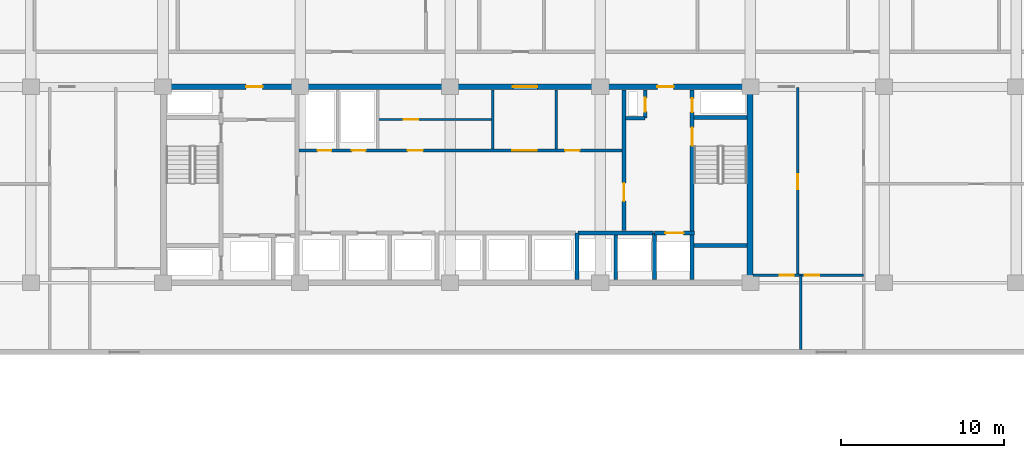
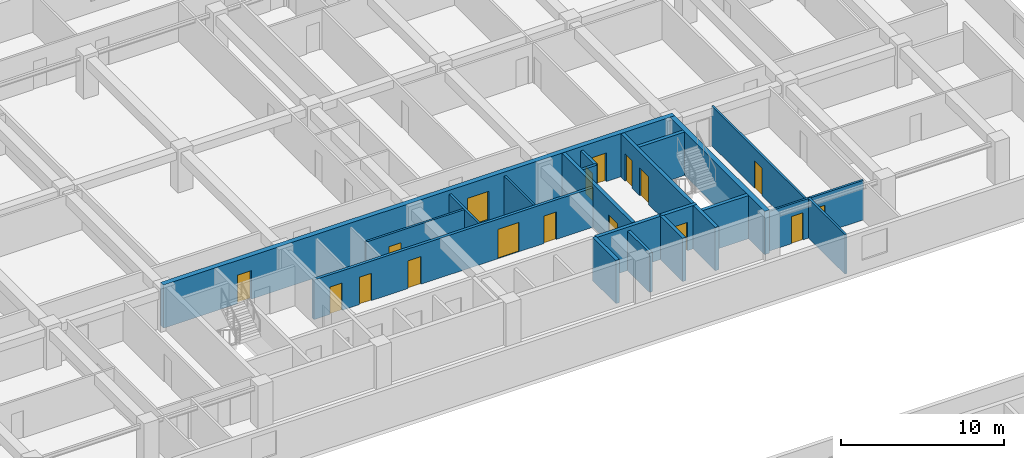
# One storey, part 12 of 23: 20 walls, 17 doors, 17 openings.
"""IFC4 building model written with IfcOpenShell, lengths in metres."""

from ifc_helpers import new_model, si_unit, direction, frame, frame_2d, origin, place, context, subcontext, project, spatial, rectangle, extrude, material, layer, layer_set, type_object, element, fill, save


model = new_model("IFC4")

# Units and contexts
model_context = context("Model", 3, precision=1e-05, world=origin(), true_north=direction((0.0, 1.0)))
body_context = subcontext(model_context, "Body", "Model", "MODEL_VIEW")
ifc_project = project(units=[si_unit("LENGTHUNIT", "METRE"), si_unit("AREAUNIT", "SQUARE_METRE"), si_unit("VOLUMEUNIT", "CUBIC_METRE"), si_unit("PLANEANGLEUNIT", "RADIAN"), si_unit("MASSUNIT", "GRAM", prefix="KILO")], contexts=[model_context])

# Site, building, storey
site_placement = place(None, origin())
site = spatial("IfcSite", under=ifc_project, at=site_placement, CompositionType="ELEMENT")
building_placement = place(site_placement, origin())
building = spatial("IfcBuilding", under=site, at=building_placement, Name="Korimba Cascade Residences", CompositionType="ELEMENT")
storey_placement = place(building_placement, frame((0.0, 0.0, 53.25)))
storey = spatial("IfcBuildingStorey", under=building, at=storey_placement, Name="L14", CompositionType="ELEMENT", Elevation=53.25)

# Wall
ifc_material_1 = material(Name="Concrete C65/80", Category="concrete")
ifc_layer_1 = layer(ifc_material_1, 0.35009765625)
ifc_layer_set_1 = layer_set([ifc_layer_1], Name="Concrete C65/80")
wall_type_1 = type_object("IfcWallType", Name="WAL-CORE-350", PredefinedType="SHEAR", material=ifc_layer_set_1)
wall_1_placement = place(storey_placement, frame((112.074951171875, 55.375, 0.0), z_axis=(0.0, 0.0, 1.0), x_axis=(0.0, 1.0, 0.0)))
element("IfcWall", 1, at=wall_1_placement, inside=storey, type_object=wall_type_1, Name="L14 Core Shear Wall CW-L14-T1-E", PredefinedType="SHEAR", context=body_context, shape_type="SweptSolid", body=[
    extrude(rectangle(XDim=11.64990234375, YDim=0.35009765625, at=frame_2d((5.824951171875, 0.0))), origin(), (0.0, 0.0, 1.0), 3.25),
])

# Wall, openings, doors
wall_2_placement = place(storey_placement, frame((75.949951171875, 67.199951171875, 0.0), z_axis=(0.0, 0.0, 1.0), x_axis=(1.0, 0.0, 0.0)))
wall_2 = element("IfcWall", 2, at=wall_2_placement, inside=storey, type_object=wall_type_1, Name="L14 Core Shear Wall CW-L14-T1-N", PredefinedType="SHEAR", context=body_context, shape_type="SweptSolid", body=[
    extrude(rectangle(XDim=36.300048828125, YDim=0.35009765625, at=frame_2d((18.14990234375, 0.0))), origin(), (0.0, 0.0, 1.0), 3.25),
])
opening_1_placement = place(wall_2_placement, frame((5.25, 0.0, 0.0)))
opening_1 = element("IfcOpeningElement", 3, at=opening_1_placement, cuts=wall_2, Name="Opening D-FD5", PredefinedType="OPENING", context=body_context, shape_type="SweptSolid", body=[
    extrude(rectangle(XDim=1.0, YDim=2.14990234375, at=frame_2d((0.5, 1.074951171875))), frame((0.0, 0.18505859375, 0.0), z_axis=(0.0, -1.0, 0.0), x_axis=(1.0, 0.0, 0.0)), (0.0, 0.0, 1.0), 0.3701171875),
])
opening_2_placement = place(wall_2_placement, frame((21.60009765625, 0.0, 0.0)))
opening_2 = element("IfcOpeningElement", 4, at=opening_2_placement, cuts=wall_2, Name="Opening D-FD8", PredefinedType="OPENING", context=body_context, shape_type="SweptSolid", body=[
    extrude(rectangle(XDim=1.5, YDim=2.199951171875, at=frame_2d((0.75, 1.10009765625))), frame((0.0, 0.18505859375, 0.0), z_axis=(0.0, -1.0, 0.0), x_axis=(1.0, 0.0, 0.0)), (0.0, 0.0, 1.0), 0.3701171875),
])
opening_3_placement = place(wall_2_placement, frame((30.449951171875, 0.0, 0.0)))
opening_3 = element("IfcOpeningElement", 5, at=opening_3_placement, cuts=wall_2, Name="Opening D-FD5", PredefinedType="OPENING", context=body_context, shape_type="SweptSolid", body=[
    extrude(rectangle(XDim=1.0, YDim=2.14990234375, at=frame_2d((0.5, 1.074951171875))), frame((0.0, 0.18505859375, 0.0), z_axis=(0.0, -1.0, 0.0), x_axis=(1.0, 0.0, 0.0)), (0.0, 0.0, 1.0), 0.3701171875),
])
ifc_material_2 = material(Name="Fire-Rated Acoustic Timber Vestibule Door", Category="wood")
door_type_1 = type_object("IfcDoorType", Name="DR-FD90-1000", OperationType="NOTDEFINED", PredefinedType="DOOR", material=ifc_material_2)
door_1_placement = place(opening_1_placement, origin())
door_1 = element("IfcDoor", 6, at=door_1_placement, inside=storey, type_object=door_type_1, Name="L14 T1 West Core Vestibule Fire Door", OperationType="SINGLE_SWING_RIGHT", OverallHeight=2.14990234375, OverallWidth=1.0, PredefinedType="DOOR", context=body_context, shape_type="SweptSolid", body=[
    extrude(rectangle(XDim=1.0, YDim=2.14990234375, at=frame_2d((0.5, 1.074951171875))), frame((0.0, 0.02490234375, 0.0), z_axis=(0.0, -1.0, 0.0), x_axis=(1.0, 0.0, 0.0)), (0.0, 0.0, 1.0), 0.050048828125),
])
fill(opening_1, door_1)
door_2_placement = place(opening_3_placement, origin())
door_2 = element("IfcDoor", 7, at=door_2_placement, inside=storey, type_object=door_type_1, Name="L14 T1 East Firefighting Vestibule Fire Door", OperationType="SINGLE_SWING_LEFT", OverallHeight=2.14990234375, OverallWidth=1.0, PredefinedType="DOOR", context=body_context, shape_type="SweptSolid", body=[
    extrude(rectangle(XDim=1.0, YDim=2.14990234375, at=frame_2d((0.5, 1.074951171875))), frame((0.0, 0.02490234375, 0.0), z_axis=(0.0, -1.0, 0.0), x_axis=(1.0, 0.0, 0.0)), (0.0, 0.0, 1.0), 0.050048828125),
])
fill(opening_3, door_2)
ifc_material_3 = material(Name="Fire-Rated Glazed Lift Lobby Double Door", Category="glass")
door_type_2 = type_object("IfcDoorType", Name="DR-FD90-1500", OperationType="NOTDEFINED", PredefinedType="DOOR", material=ifc_material_3)
door_3_placement = place(opening_2_placement, origin())
door_3 = element("IfcDoor", 8, at=door_3_placement, inside=storey, type_object=door_type_2, Name="L14 T1 Lift Lobby Fire Door", OperationType="DOUBLE_DOOR_SINGLE_SWING", OverallHeight=2.199951171875, OverallWidth=1.5, PredefinedType="DOOR", context=body_context, shape_type="SweptSolid", body=[
    extrude(rectangle(XDim=1.5, YDim=2.199951171875, at=frame_2d((0.75, 1.10009765625))), frame((0.0, 0.02490234375, 0.0), z_axis=(0.0, -1.0, 0.0), x_axis=(1.0, 0.0, 0.0)), (0.0, 0.0, 1.0), 0.050048828125),
])
fill(opening_2, door_3)

# Wall, opening, door
ifc_material_4 = material(Name="Insulated Acoustic Stud Partition", Category="gypsum")
ifc_layer_2 = layer(ifc_material_4, 0.14990234375)
ifc_layer_set_2 = layer_set([ifc_layer_2], Name="Insulated Acoustic Stud Partition")
wall_type_2 = type_object("IfcWallType", Name="WAL-PART-150", PredefinedType="PARTITIONING", material=ifc_layer_set_2)
wall_3_placement = place(storey_placement, frame((89.25, 65.199951171875, 0.0), z_axis=(0.0, 0.0, 1.0), x_axis=(1.0, 0.0, 0.0)))
wall_3 = element("IfcWall", 9, at=wall_3_placement, inside=storey, type_object=wall_type_2, Name="L14 Partition Wall CW-L14-T1-CA2HZ", PredefinedType="PARTITIONING", context=body_context, shape_type="SweptSolid", body=[
    extrude(rectangle(XDim=7.050048828125, YDim=0.14990234375, at=frame_2d((3.52490234375, 0.0))), origin(), (0.0, 0.0, 1.0), 2.969970703125),
])
opening_4_placement = place(wall_3_placement, frame((1.60009765625, 0.0, 0.0)))
opening_4 = element("IfcOpeningElement", 10, at=opening_4_placement, cuts=wall_3, Name="Opening D-IN2", PredefinedType="OPENING", context=body_context, shape_type="SweptSolid", body=[
    extrude(rectangle(XDim=0.8798828125, YDim=2.06005859375, at=frame_2d((0.43994140625, 1.030029296875))), frame((0.0, 0.0849609375, 0.0), z_axis=(0.0, -1.0, 0.0), x_axis=(1.0, 0.0, 0.0)), (0.0, 0.0, 1.0), 0.169921875),
])
ifc_material_5 = material(Name="Acoustic Timber Bedroom Door", Category="wood")
door_type_3 = type_object("IfcDoorType", Name="DR-INT-880", OperationType="NOTDEFINED", PredefinedType="DOOR", material=ifc_material_5)
door_4_placement = place(opening_4_placement, origin())
door_4 = element("IfcDoor", 11, at=door_4_placement, inside=storey, type_object=door_type_3, Name="L14 Pram Store Door", OperationType="SINGLE_SWING_RIGHT", OverallHeight=2.06005859375, OverallWidth=0.8798828125, PredefinedType="DOOR", context=body_context, shape_type="SweptSolid", body=[
    extrude(rectangle(XDim=0.8798828125, YDim=2.06005859375, at=frame_2d((0.43994140625, 1.030029296875))), frame((0.0, 0.02490234375, 0.0), z_axis=(0.0, -1.0, 0.0), x_axis=(1.0, 0.0, 0.0)), (0.0, 0.0, 1.0), 0.050048828125),
])
fill(opening_4, door_4)

# Walls
for number, where, z_axis, x_axis, name in (
    (12, (96.300048828125, 63.39990234375, 0.0), (0.0, 0.0, 1.0), (0.0, 1.0, 0.0), "L14 Partition Wall CW-L14-T1-THW"),
    (13, (100.199951171875, 63.39990234375, 0.0), (0.0, 0.0, 1.0), (0.0, 1.0, 0.0), "L14 Partition Wall CW-L14-T1-THE"),
):
    element("IfcWall", number, at=place(storey_placement, frame(where, z_axis=z_axis, x_axis=x_axis)), inside=storey, type_object=wall_type_2, Name=name, PredefinedType="PARTITIONING", context=body_context, shape_type="SweptSolid", body=[
        extrude(rectangle(XDim=3.60009765625, YDim=0.14990234375, at=frame_2d((1.800048828125, 0.0))), origin(), (0.0, 0.0, 1.0), 2.969970703125),
    ])

# Wall, opening, door
wall_4_placement = place(storey_placement, frame((115.0, 55.64990234375, 0.0), z_axis=(0.0, 0.0, 1.0), x_axis=(0.0, 1.0, 0.0)))
wall_4 = element("IfcWall", 14, at=wall_4_placement, inside=storey, type_object=wall_type_2, Name="L14 Partition Wall WAL-L14-T1-FE-VN", PredefinedType="PARTITIONING", context=body_context, shape_type="SweptSolid", body=[
    extrude(rectangle(XDim=11.5, YDim=0.14990234375, at=frame_2d((5.75, 0.0))), origin(), (0.0, 0.0, 1.0), 2.969970703125),
])
opening_5_placement = place(wall_4_placement, frame((5.2900390625, 0.0, 0.0)))
opening_5 = element("IfcOpeningElement", 15, at=opening_5_placement, cuts=wall_4, Name="Opening D-IN1", PredefinedType="OPENING", context=body_context, shape_type="SweptSolid", body=[
    extrude(rectangle(XDim=0.919921875, YDim=2.080078125, at=frame_2d((0.4599609375, 1.0400390625))), frame((0.0, 0.0849609375, 0.0), z_axis=(0.0, -1.0, 0.0), x_axis=(1.0, 0.0, 0.0)), (0.0, 0.0, 1.0), 0.169921875),
])
ifc_material_6 = material(Name="Acoustic Timber Living Door", Category="wood")
door_type_4 = type_object("IfcDoorType", Name="DR-INT-920", OperationType="NOTDEFINED", PredefinedType="DOOR", material=ifc_material_6)
door_5_placement = place(opening_5_placement, origin())
door_5 = element("IfcDoor", 16, at=door_5_placement, inside=storey, type_object=door_type_4, Name="L14-T1-FE Living Door", OperationType="SINGLE_SWING_LEFT", OverallHeight=2.080078125, OverallWidth=0.919921875, PredefinedType="DOOR", context=body_context, shape_type="SweptSolid", body=[
    extrude(rectangle(XDim=0.919921875, YDim=2.080078125, at=frame_2d((0.4599609375, 1.0400390625))), frame((0.0, 0.02490234375, 0.0), z_axis=(0.0, -1.0, 0.0), x_axis=(1.0, 0.0, 0.0)), (0.0, 0.0, 1.0), 0.050048828125),
])
fill(opening_5, door_5)

# Wall
wall_5_placement = place(storey_placement, frame((115.199951171875, 51.10009765625, 0.0), z_axis=(0.0, 0.0, 1.0), x_axis=(0.0, 1.0, 0.0)))
element("IfcWall", 17, at=wall_5_placement, inside=storey, type_object=wall_type_2, Name="L14 Partition Wall WAL-L14-T1-FE-VS", PredefinedType="PARTITIONING", context=body_context, shape_type="SweptSolid", body=[
    extrude(rectangle(XDim=4.5498046875, YDim=0.14990234375, at=frame_2d((2.27490234375, 0.0))), origin(), (0.0, 0.0, 1.0), 2.969970703125),
])

# Wall, openings, doors
wall_6_placement = place(storey_placement, frame((112.27001953125, 55.64990234375, 0.0), z_axis=(0.0, 0.0, 1.0), x_axis=(1.0, 0.0, 0.0)))
wall_6 = element("IfcWall", 18, at=wall_6_placement, inside=storey, type_object=wall_type_2, Name="L14 Partition Wall WAL-L14-T1-FE-H", PredefinedType="PARTITIONING", context=body_context, shape_type="SweptSolid", body=[
    extrude(rectangle(XDim=6.760009765625, YDim=0.14990234375, at=frame_2d((3.3798828125, 0.0))), origin(), (0.0, 0.0, 1.0), 2.969970703125),
])
opening_6_placement = place(wall_6_placement, frame((1.6396484375, 0.0, 0.0)))
opening_6 = element("IfcOpeningElement", 19, at=opening_6_placement, cuts=wall_6, Name="Opening D-BT1", PredefinedType="OPENING", context=body_context, shape_type="SweptSolid", body=[
    extrude(rectangle(XDim=0.840087890625, YDim=2.0400390625, at=frame_2d((0.419921875, 1.02001953125))), frame((0.0, 0.0849609375, 0.0), z_axis=(0.0, -1.0, 0.0), x_axis=(1.0, 0.0, 0.0)), (0.0, 0.0, 1.0), 0.169921875),
])
opening_7_placement = place(wall_6_placement, frame((3.160400390625, 0.0, 0.0)))
opening_7 = element("IfcOpeningElement", 20, at=opening_7_placement, cuts=wall_6, Name="Opening D-IN2", PredefinedType="OPENING", context=body_context, shape_type="SweptSolid", body=[
    extrude(rectangle(XDim=0.8798828125, YDim=2.06005859375, at=frame_2d((0.43994140625, 1.030029296875))), frame((0.0, 0.0849609375, 0.0), z_axis=(0.0, -1.0, 0.0), x_axis=(1.0, 0.0, 0.0)), (0.0, 0.0, 1.0), 0.169921875),
])
ifc_material_7 = material(Name="Moisture-Resistant Bathroom Timber Door", Category="wood")
door_type_5 = type_object("IfcDoorType", Name="DR-INT-850", OperationType="NOTDEFINED", PredefinedType="DOOR", material=ifc_material_7)
door_6_placement = place(opening_6_placement, origin())
door_6 = element("IfcDoor", 21, at=door_6_placement, inside=storey, type_object=door_type_5, Name="L14-T1-FE Bathroom Door", OperationType="SINGLE_SWING_RIGHT", OverallHeight=2.0400390625, OverallWidth=0.840087890625, PredefinedType="DOOR", context=body_context, shape_type="SweptSolid", body=[
    extrude(rectangle(XDim=0.840087890625, YDim=2.0400390625, at=frame_2d((0.419921875, 1.02001953125))), frame((0.0, 0.02490234375, 0.0), z_axis=(0.0, -1.0, 0.0), x_axis=(1.0, 0.0, 0.0)), (0.0, 0.0, 1.0), 0.050048828125),
])
fill(opening_6, door_6)
door_7_placement = place(opening_7_placement, origin())
door_7 = element("IfcDoor", 22, at=door_7_placement, inside=storey, type_object=door_type_3, Name="L14-T1-FE Bedroom Door", OperationType="SINGLE_SWING_LEFT", OverallHeight=2.06005859375, OverallWidth=0.8798828125, PredefinedType="DOOR", context=body_context, shape_type="SweptSolid", body=[
    extrude(rectangle(XDim=0.8798828125, YDim=2.06005859375, at=frame_2d((0.43994140625, 1.030029296875))), frame((0.0, 0.02490234375, 0.0), z_axis=(0.0, -1.0, 0.0), x_axis=(1.0, 0.0, 0.0)), (0.0, 0.0, 1.0), 0.050048828125),
])
fill(opening_7, door_7)

# Wall
ifc_material_8 = material(Name="Concrete C40/50", Category="concrete")
ifc_layer_3 = layer(ifc_material_8, 0.199951171875)
ifc_layer_set_3 = layer_set([ifc_layer_3], Name="Concrete C40/50")
wall_type_3 = type_object("IfcWallType", Name="WAL-PART-200", PredefinedType="PARTITIONING", material=ifc_layer_set_3)
wall_7_placement = place(storey_placement, frame((103.85009765625, 55.39990234375, 0.0), z_axis=(0.0, 0.0, 1.0), x_axis=(0.0, 1.0, 0.0)))
element("IfcWall", 23, at=wall_7_placement, inside=storey, type_object=wall_type_3, Name="L14 Partition Wall CW-L14-T1-B3D1", PredefinedType="PARTITIONING", context=body_context, shape_type="SweptSolid", body=[
    extrude(rectangle(XDim=2.72021484375, YDim=0.199951171875, at=frame_2d((1.360107421875, 0.0))), origin(), (0.0, 0.0, 1.0), 2.969970703125),
])

# Wall, openings, doors
wall_8_placement = place(storey_placement, frame((84.419921875, 63.300048828125, 0.0), z_axis=(0.0, 0.0, 1.0), x_axis=(1.0, 0.0, 0.0)))
wall_8 = element("IfcWall", 24, at=wall_8_placement, inside=storey, type_object=wall_type_3, Name="L14 Partition Wall CW-L14-T1-SRVROW", PredefinedType="PARTITIONING", context=body_context, shape_type="SweptSolid", body=[
    extrude(rectangle(XDim=19.830078125, YDim=0.199951171875, at=frame_2d((9.9150390625, 0.0))), origin(), (0.0, 0.0, 1.0), 2.969970703125),
])
opening_8_placement = place(wall_8_placement, frame((1.14990234375, 0.0, 0.0)))
opening_8 = element("IfcOpeningElement", 25, at=opening_8_placement, cuts=wall_8, Name="Opening D-RS1", PredefinedType="OPENING", context=body_context, shape_type="SweptSolid", body=[
    extrude(rectangle(XDim=0.85009765625, YDim=2.050048828125, at=frame_2d((0.425048828125, 1.02490234375))), frame((0.0, 0.10986328125, 0.0), z_axis=(0.0, -1.0, 0.0), x_axis=(1.0, 0.0, 0.0)), (0.0, 0.0, 1.0), 0.219970703125),
])
opening_9_placement = place(wall_8_placement, frame((3.25, 0.0, 0.0)))
opening_9 = element("IfcOpeningElement", 26, at=opening_9_placement, cuts=wall_8, Name="Opening D-RS1", PredefinedType="OPENING", context=body_context, shape_type="SweptSolid", body=[
    extrude(rectangle(XDim=0.85009765625, YDim=2.050048828125, at=frame_2d((0.425048828125, 1.02490234375))), frame((0.0, 0.10986328125, 0.0), z_axis=(0.0, -1.0, 0.0), x_axis=(1.0, 0.0, 0.0)), (0.0, 0.0, 1.0), 0.219970703125),
])
opening_10_placement = place(wall_8_placement, frame((13.080078125, 0.0, 0.0)))
opening_10 = element("IfcOpeningElement", 27, at=opening_10_placement, cuts=wall_8, Name="Opening D-FD8", PredefinedType="OPENING", context=body_context, shape_type="SweptSolid", body=[
    extrude(rectangle(XDim=1.5, YDim=2.199951171875, at=frame_2d((0.75, 1.10009765625))), frame((0.0, 0.10986328125, 0.0), z_axis=(0.0, -1.0, 0.0), x_axis=(1.0, 0.0, 0.0)), (0.0, 0.0, 1.0), 0.219970703125),
])
opening_11_placement = place(wall_8_placement, frame((6.679931640625, 0.0, 0.0)))
opening_11 = element("IfcOpeningElement", 28, at=opening_11_placement, cuts=wall_8, Name="Opening D-IN1", PredefinedType="OPENING", context=body_context, shape_type="SweptSolid", body=[
    extrude(rectangle(XDim=0.919921875, YDim=2.080078125, at=frame_2d((0.4599609375, 1.0400390625))), frame((0.0, 0.10986328125, 0.0), z_axis=(0.0, -1.0, 0.0), x_axis=(1.0, 0.0, 0.0)), (0.0, 0.0, 1.0), 0.219970703125),
])
opening_12_placement = place(wall_8_placement, frame((16.330078125, 0.0, 0.0)))
opening_12 = element("IfcOpeningElement", 29, at=opening_12_placement, cuts=wall_8, Name="Opening D-IN2", PredefinedType="OPENING", context=body_context, shape_type="SweptSolid", body=[
    extrude(rectangle(XDim=0.8798828125, YDim=2.06005859375, at=frame_2d((0.43994140625, 1.030029296875))), frame((0.0, 0.10986328125, 0.0), z_axis=(0.0, -1.0, 0.0), x_axis=(1.0, 0.0, 0.0)), (0.0, 0.0, 1.0), 0.219970703125),
])
ifc_material_9 = material(Name="Fire-Rated Steel Riser Access Door", Category="steel")
door_type_6 = type_object("IfcDoorType", Name="DR-FD60-850", OperationType="NOTDEFINED", PredefinedType="DOOR", material=ifc_material_9)
door_8_placement = place(opening_8_placement, origin())
door_8 = element("IfcDoor", 30, at=door_8_placement, inside=storey, type_object=door_type_6, Name="L14 Electrical Riser Door", OperationType="SINGLE_SWING_LEFT", OverallHeight=2.050048828125, OverallWidth=0.85009765625, PredefinedType="DOOR", context=body_context, shape_type="SweptSolid", body=[
    extrude(rectangle(XDim=0.85009765625, YDim=2.050048828125, at=frame_2d((0.425048828125, 1.02490234375))), frame((0.0, 0.02490234375, 0.0), z_axis=(0.0, -1.0, 0.0), x_axis=(1.0, 0.0, 0.0)), (0.0, 0.0, 1.0), 0.050048828125),
])
fill(opening_8, door_8)
door_9_placement = place(opening_9_placement, origin())
door_9 = element("IfcDoor", 31, at=door_9_placement, inside=storey, type_object=door_type_6, Name="L14 Plumbing Riser Door", OperationType="SINGLE_SWING_RIGHT", OverallHeight=2.050048828125, OverallWidth=0.85009765625, PredefinedType="DOOR", context=body_context, shape_type="SweptSolid", body=[
    extrude(rectangle(XDim=0.85009765625, YDim=2.050048828125, at=frame_2d((0.425048828125, 1.02490234375))), frame((0.0, 0.02490234375, 0.0), z_axis=(0.0, -1.0, 0.0), x_axis=(1.0, 0.0, 0.0)), (0.0, 0.0, 1.0), 0.050048828125),
])
fill(opening_9, door_9)
door_10_placement = place(opening_10_placement, origin())
door_10 = element("IfcDoor", 32, at=door_10_placement, inside=storey, type_object=door_type_2, Name="L14 Lift Lobby Foyer Archway Door", OperationType="DOUBLE_DOOR_SINGLE_SWING", OverallHeight=2.199951171875, OverallWidth=1.5, PredefinedType="DOOR", context=body_context, shape_type="SweptSolid", body=[
    extrude(rectangle(XDim=1.5, YDim=2.199951171875, at=frame_2d((0.75, 1.10009765625))), frame((0.0, 0.02490234375, 0.0), z_axis=(0.0, -1.0, 0.0), x_axis=(1.0, 0.0, 0.0)), (0.0, 0.0, 1.0), 0.050048828125),
])
fill(opening_10, door_10)
door_11_placement = place(opening_12_placement, origin())
door_11 = element("IfcDoor", 33, at=door_11_placement, inside=storey, type_object=door_type_3, Name="L14 Staff WC Door", OperationType="SINGLE_SWING_RIGHT", OverallHeight=2.06005859375, OverallWidth=0.8798828125, PredefinedType="DOOR", context=body_context, shape_type="SweptSolid", body=[
    extrude(rectangle(XDim=0.8798828125, YDim=2.06005859375, at=frame_2d((0.43994140625, 1.030029296875))), frame((0.0, 0.02490234375, 0.0), z_axis=(0.0, -1.0, 0.0), x_axis=(1.0, 0.0, 0.0)), (0.0, 0.0, 1.0), 0.050048828125),
])
fill(opening_12, door_11)
door_12_placement = place(opening_11_placement, origin())
door_12 = element("IfcDoor", 34, at=door_12_placement, inside=storey, type_object=door_type_4, Name="L14 Locker Room Door", OperationType="SINGLE_SWING_LEFT", OverallHeight=2.080078125, OverallWidth=0.919921875, PredefinedType="DOOR", context=body_context, shape_type="SweptSolid", body=[
    extrude(rectangle(XDim=0.919921875, YDim=2.080078125, at=frame_2d((0.4599609375, 1.0400390625))), frame((0.0, 0.02490234375, 0.0), z_axis=(0.0, -1.0, 0.0), x_axis=(1.0, 0.0, 0.0)), (0.0, 0.0, 1.0), 0.050048828125),
])
fill(opening_11, door_12)

# Wall
wall_9_placement = place(storey_placement, frame((104.449951171875, 65.280029296875, 0.0), z_axis=(0.0, 0.0, 1.0), x_axis=(1.0, 0.0, 0.0)))
element("IfcWall", 35, at=wall_9_placement, inside=storey, type_object=wall_type_3, Name="L14 Partition Wall CW-L14-T1-HYDW2S", PredefinedType="PARTITIONING", context=body_context, shape_type="SweptSolid", body=[
    extrude(rectangle(XDim=1.199951171875, YDim=0.199951171875, at=frame_2d((0.60009765625, 0.0))), origin(), (0.0, 0.0, 1.0), 2.969970703125),
])

# Wall, opening, door
wall_10_placement = place(storey_placement, frame((105.64990234375, 65.280029296875, 0.0), z_axis=(0.0, 0.0, 1.0), x_axis=(0.0, 1.0, 0.0)))
wall_10 = element("IfcWall", 36, at=wall_10_placement, inside=storey, type_object=wall_type_3, Name="L14 Partition Wall CW-L14-T1-HYDW2E", PredefinedType="PARTITIONING", context=body_context, shape_type="SweptSolid", body=[
    extrude(rectangle(XDim=1.719970703125, YDim=0.199951171875, at=frame_2d((0.85986328125, 0.0))), origin(), (0.0, 0.0, 1.0), 2.969970703125),
])
opening_13_placement = place(wall_10_placement, frame((0.39990234375, 0.0, 0.0)))
opening_13 = element("IfcOpeningElement", 37, at=opening_13_placement, cuts=wall_10, Name="Opening D-RS1", PredefinedType="OPENING", context=body_context, shape_type="SweptSolid", body=[
    extrude(rectangle(XDim=0.85009765625, YDim=2.050048828125, at=frame_2d((0.425048828125, 1.02490234375))), frame((0.0, 0.10986328125, 0.0), z_axis=(0.0, -1.0, 0.0), x_axis=(1.0, 0.0, 0.0)), (0.0, 0.0, 1.0), 0.219970703125),
])
door_13_placement = place(opening_13_placement, origin())
door_13 = element("IfcDoor", 38, at=door_13_placement, inside=storey, type_object=door_type_6, Name="L14 East Hydrant Door", OperationType="SINGLE_SWING_LEFT", OverallHeight=2.050048828125, OverallWidth=0.85009765625, PredefinedType="DOOR", context=body_context, shape_type="SweptSolid", body=[
    extrude(rectangle(XDim=0.85009765625, YDim=2.050048828125, at=frame_2d((0.425048828125, 1.02490234375))), frame((0.0, 0.02490234375, 0.0), z_axis=(0.0, -1.0, 0.0), x_axis=(1.0, 0.0, 0.0)), (0.0, 0.0, 1.0), 0.050048828125),
])
fill(opening_13, door_13)

# Walls
ifc_material_10 = material(Name="Concrete C50/60", Category="concrete")
ifc_layer_4 = layer(ifc_material_10, 0.25)
ifc_layer_set_4 = layer_set([ifc_layer_4], Name="Concrete C50/60")
wall_type_4 = type_object("IfcWallType", Name="WAL-SHAFT-250", PredefinedType="SHEAR", material=ifc_layer_set_4)
wall_11_placement = place(storey_placement, frame((101.47998046875, 55.39990234375, 0.0), z_axis=(0.0, 0.0, 1.0), x_axis=(0.0, 1.0, 0.0)))
element("IfcWall", 39, at=wall_11_placement, inside=storey, type_object=wall_type_4, Name="L14 Core Shear Wall CW-L14-T1-B23DIV", PredefinedType="SHEAR", context=body_context, shape_type="SweptSolid", body=[
    extrude(rectangle(XDim=2.85009765625, YDim=0.25, at=frame_2d((1.425048828125, 0.0))), origin(), (0.0, 0.0, 1.0), 3.25),
])
wall_12_placement = place(storey_placement, frame((101.550048828125, 58.25, 0.0), z_axis=(0.0, 0.0, 1.0), x_axis=(1.0, 0.0, 0.0)))
element("IfcWall", 40, at=wall_12_placement, inside=storey, type_object=wall_type_4, Name="L14 Core Shear Wall CW-L14-T1-B3N", PredefinedType="SHEAR", context=body_context, shape_type="SweptSolid", body=[
    extrude(rectangle(XDim=4.599853515625, YDim=0.25, at=frame_2d((2.2998046875, 0.0))), origin(), (0.0, 0.0, 1.0), 3.25),
])
wall_13_placement = place(storey_placement, frame((106.219970703125, 55.39990234375, 0.0), z_axis=(0.0, 0.0, 1.0), x_axis=(0.0, 1.0, 0.0)))
element("IfcWall", 41, at=wall_13_placement, inside=storey, type_object=wall_type_4, Name="L14 Core Shear Wall CW-L14-T1-FF2W", PredefinedType="SHEAR", context=body_context, shape_type="SweptSolid", body=[
    extrude(rectangle(XDim=2.85009765625, YDim=0.25, at=frame_2d((1.425048828125, 0.0))), origin(), (0.0, 0.0, 1.0), 3.25),
])

# Wall, opening, door
wall_14_placement = place(storey_placement, frame((106.219970703125, 58.25, 0.0), z_axis=(0.0, 0.0, 1.0), x_axis=(1.0, 0.0, 0.0)))
wall_14 = element("IfcWall", 42, at=wall_14_placement, inside=storey, type_object=wall_type_4, Name="L14 Core Shear Wall CW-L14-T1-FF2N", PredefinedType="SHEAR", context=body_context, shape_type="SweptSolid", body=[
    extrude(rectangle(XDim=2.4599609375, YDim=0.25, at=frame_2d((1.22998046875, 0.0))), origin(), (0.0, 0.0, 1.0), 3.25),
])
opening_14_placement = place(wall_14_placement, frame((0.669921875, 0.0, 0.0)))
opening_14 = element("IfcOpeningElement", 43, at=opening_14_placement, cuts=wall_14, Name="Opening LD-01", PredefinedType="OPENING", context=body_context, shape_type="SweptSolid", body=[
    extrude(rectangle(XDim=1.1201171875, YDim=2.1201171875, at=frame_2d((0.56005859375, 1.06005859375))), frame((0.0, 0.135009765625, 0.0), z_axis=(0.0, -1.0, 0.0), x_axis=(1.0, 0.0, 0.0)), (0.0, 0.0, 1.0), 0.27001953125),
])
ifc_material_11 = material(Name="Stainless Steel Lift Landing Sliding Door", Category="steel")
door_type_7 = type_object("IfcDoorType", Name="DR-LIFT-1100", OperationType="NOTDEFINED", PredefinedType="DOOR", material=ifc_material_11)
door_14_placement = place(opening_14_placement, origin())
door_14 = element("IfcDoor", 44, at=door_14_placement, inside=storey, type_object=door_type_7, Name="L14 Firefighting Lift Landing Door FFL-W2", OperationType="SLIDING_TO_RIGHT", OverallHeight=2.1201171875, OverallWidth=1.1201171875, PredefinedType="DOOR", context=body_context, shape_type="SweptSolid", body=[
    extrude(rectangle(XDim=1.1201171875, YDim=2.1201171875, at=frame_2d((0.56005859375, 1.06005859375))), frame((0.0, 0.02490234375, 0.0), z_axis=(0.0, -1.0, 0.0), x_axis=(1.0, 0.0, 0.0)), (0.0, 0.0, 1.0), 0.050048828125),
])
fill(opening_14, door_14)

wall_15_placement = place(storey_placement, frame((104.35009765625, 58.39990234375, 0.0), z_axis=(0.0, 0.0, 1.0), x_axis=(0.0, 1.0, 0.0)))
wall_15 = element("IfcWall", 45, at=wall_15_placement, inside=storey, type_object=wall_type_4, Name="L14 Core Shear Wall CW-L14-T1-LLEV", PredefinedType="SHEAR", context=body_context, shape_type="SweptSolid", body=[
    extrude(rectangle(XDim=8.60009765625, YDim=0.25, at=frame_2d((4.300048828125, 0.0))), origin(), (0.0, 0.0, 1.0), 3.25),
])
opening_15_placement = place(wall_15_placement, frame((1.800048828125, 0.0, 0.0)))
opening_15 = element("IfcOpeningElement", 46, at=opening_15_placement, cuts=wall_15, Name="Opening D-FD1", PredefinedType="OPENING", context=body_context, shape_type="SweptSolid", body=[
    extrude(rectangle(XDim=1.10009765625, YDim=2.10009765625, at=frame_2d((0.550048828125, 1.050048828125))), frame((0.0, 0.135009765625, 0.0), z_axis=(0.0, -1.0, 0.0), x_axis=(1.0, 0.0, 0.0)), (0.0, 0.0, 1.0), 0.27001953125),
])
ifc_material_12 = material(Name="Fire-Rated Steel Core Door", Category="steel")
door_type_8 = type_object("IfcDoorType", Name="DR-FD120-1100", OperationType="NOTDEFINED", PredefinedType="DOOR", material=ifc_material_12)
door_15_placement = place(opening_15_placement, origin())
door_15 = element("IfcDoor", 47, at=door_15_placement, inside=storey, type_object=door_type_8, Name="L14 Lift Lobby to East Firefighting Lobby Door", OperationType="SINGLE_SWING_RIGHT", OverallHeight=2.10009765625, OverallWidth=1.10009765625, PredefinedType="DOOR", context=body_context, shape_type="SweptSolid", body=[
    extrude(rectangle(XDim=1.10009765625, YDim=2.10009765625, at=frame_2d((0.550048828125, 1.050048828125))), frame((0.0, 0.02490234375, 0.0), z_axis=(0.0, -1.0, 0.0), x_axis=(1.0, 0.0, 0.0)), (0.0, 0.0, 1.0), 0.050048828125),
])
fill(opening_15, door_15)

# Wall, openings, doors
wall_16_placement = place(storey_placement, frame((108.534912109375, 55.39990234375, 0.0), z_axis=(0.0, 0.0, 1.0), x_axis=(0.0, 1.0, 0.0)))
wall_16 = element("IfcWall", 48, at=wall_16_placement, inside=storey, type_object=wall_type_4, Name="L14 Core Shear Wall CW-L14-T1-STW2W", PredefinedType="SHEAR", context=body_context, shape_type="SweptSolid", body=[
    extrude(rectangle(XDim=11.60009765625, YDim=0.25, at=frame_2d((5.800048828125, 0.0))), origin(), (0.0, 0.0, 1.0), 3.25),
])
opening_16_placement = place(wall_16_placement, frame((8.199951171875, 0.0, 0.0)))
opening_16 = element("IfcOpeningElement", 49, at=opening_16_placement, cuts=wall_16, Name="Opening D-FD1", PredefinedType="OPENING", context=body_context, shape_type="SweptSolid", body=[
    extrude(rectangle(XDim=1.10009765625, YDim=2.10009765625, at=frame_2d((0.550048828125, 1.050048828125))), frame((0.0, 0.135009765625, 0.0), z_axis=(0.0, -1.0, 0.0), x_axis=(1.0, 0.0, 0.0)), (0.0, 0.0, 1.0), 0.27001953125),
])
opening_17_placement = place(wall_16_placement, frame((10.25, 0.0, 0.0)))
opening_17 = element("IfcOpeningElement", 50, at=opening_17_placement, cuts=wall_16, Name="Opening D-RS1", PredefinedType="OPENING", context=body_context, shape_type="SweptSolid", body=[
    extrude(rectangle(XDim=0.85009765625, YDim=2.050048828125, at=frame_2d((0.425048828125, 1.02490234375))), frame((0.0, 0.135009765625, 0.0), z_axis=(0.0, -1.0, 0.0), x_axis=(1.0, 0.0, 0.0)), (0.0, 0.0, 1.0), 0.27001953125),
])
door_16_placement = place(opening_16_placement, origin())
door_16 = element("IfcDoor", 51, at=door_16_placement, inside=storey, type_object=door_type_8, Name="L14 Fire Stair ST-W2 Door", OperationType="SINGLE_SWING_LEFT", OverallHeight=2.10009765625, OverallWidth=1.10009765625, PredefinedType="DOOR", context=body_context, shape_type="SweptSolid", body=[
    extrude(rectangle(XDim=1.10009765625, YDim=2.10009765625, at=frame_2d((0.550048828125, 1.050048828125))), frame((0.0, 0.02490234375, 0.0), z_axis=(0.0, -1.0, 0.0), x_axis=(1.0, 0.0, 0.0)), (0.0, 0.0, 1.0), 0.050048828125),
])
fill(opening_16, door_16)
door_17_placement = place(opening_17_placement, origin())
door_17 = element("IfcDoor", 52, at=door_17_placement, inside=storey, type_object=door_type_6, Name="L14 East Riser Door", OperationType="SINGLE_SWING_RIGHT", OverallHeight=2.050048828125, OverallWidth=0.85009765625, PredefinedType="DOOR", context=body_context, shape_type="SweptSolid", body=[
    extrude(rectangle(XDim=0.85009765625, YDim=2.050048828125, at=frame_2d((0.425048828125, 1.02490234375))), frame((0.0, 0.02490234375, 0.0), z_axis=(0.0, -1.0, 0.0), x_axis=(1.0, 0.0, 0.0)), (0.0, 0.0, 1.0), 0.050048828125),
])
fill(opening_17, door_17)

# Walls
for number, where, z_axis, x_axis, name in (
    (53, (108.659912109375, 57.47509765625, 0.0), (0.0, 0.0, 1.0), (1.0, 0.0, 0.0), "L14 Core Shear Wall CW-L14-T1-STW2S"),
    (54, (108.659912109375, 65.324951171875, 0.0), (0.0, 0.0, 1.0), (1.0, 0.0, 0.0), "L14 Core Shear Wall CW-L14-T1-STW2N"),
):
    element("IfcWall", number, at=place(storey_placement, frame(where, z_axis=z_axis, x_axis=x_axis)), inside=storey, type_object=wall_type_4, Name=name, PredefinedType="SHEAR", context=body_context, shape_type="SweptSolid", body=[
        extrude(rectangle(XDim=3.239990234375, YDim=0.25, at=frame_2d((1.6201171875, 0.0))), origin(), (0.0, 0.0, 1.0), 3.25),
    ])

save(model, "model.ifc")
